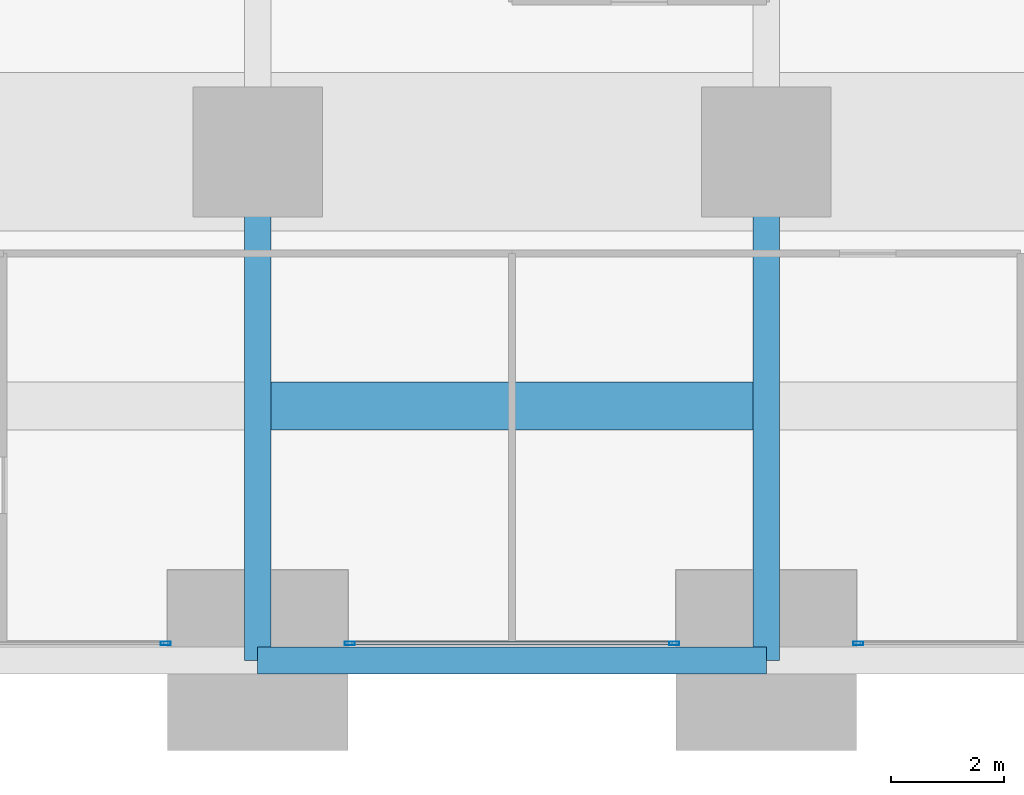
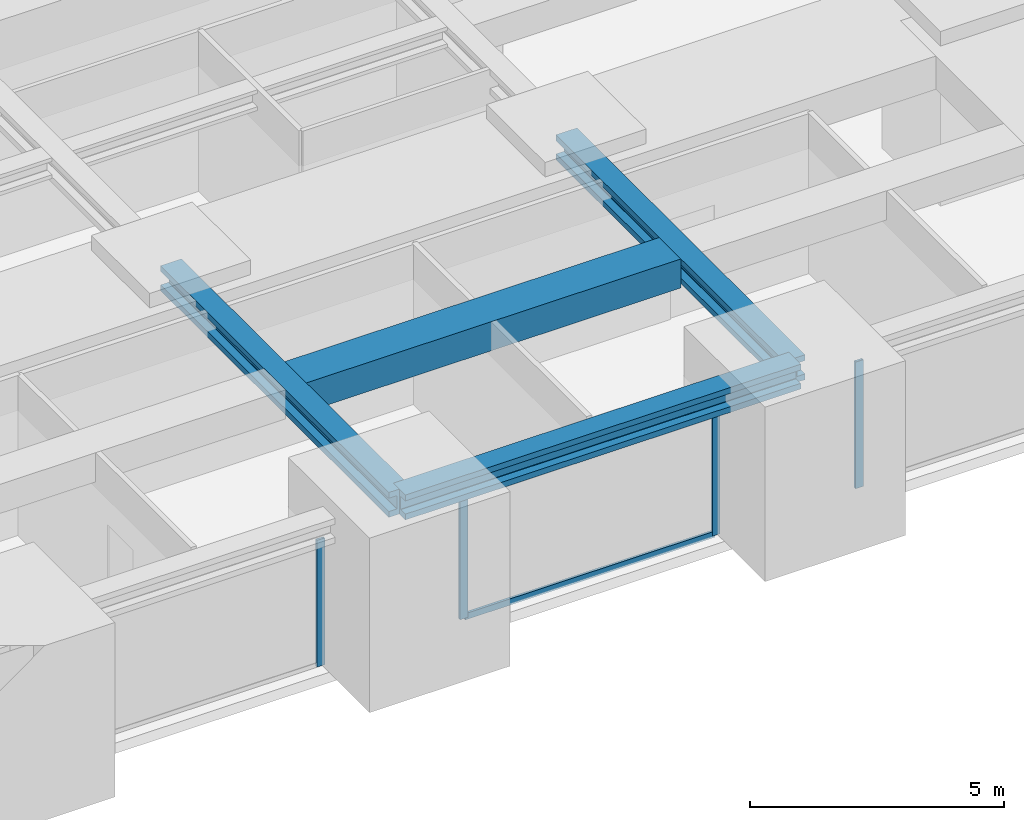
# One storey, part 12 of 42: 5 members, 4 beams, 3 elements without a shape of their own.
"""IFC4 building model written with IfcOpenShell, lengths in metres."""

from ifc_helpers import new_model, si_unit, direction, frame, origin, origin_2d, place, context, subcontext, project, spatial, rectangle, hollow_rectangle, i_section, extrude, material, material_profile, profile_set, type_object, element, aggregate, save


model = new_model("IFC4")

# Units and contexts
model_context = context("Model", 3, precision=1e-05, world=origin(), true_north=direction((0.0, 1.0)))
body_context = subcontext(model_context, "Body", "Model", "MODEL_VIEW")
ifc_project = project(units=[si_unit("LENGTHUNIT", "METRE"), si_unit("AREAUNIT", "SQUARE_METRE"), si_unit("VOLUMEUNIT", "CUBIC_METRE"), si_unit("PLANEANGLEUNIT", "RADIAN"), si_unit("MASSUNIT", "GRAM", prefix="KILO")], contexts=[model_context])

# Site, building, storey
site_placement = place(None, origin())
site = spatial("IfcSite", under=ifc_project, at=site_placement, CompositionType="ELEMENT")
building_placement = place(site_placement, origin())
building = spatial("IfcBuilding", under=site, at=building_placement, Name="Zorevar Civic Tower", CompositionType="ELEMENT")
storey_placement = place(building_placement, frame((0.0, 0.0, 75.800048828125)))
storey = spatial("IfcBuildingStorey", under=building, at=storey_placement, Name="L18", CompositionType="ELEMENT", Elevation=75.800048828125)

# Beams
ifc_material_1 = material(Name="Concrete C50/60", Category="concrete")
ifc_material_profile_1 = material_profile(ifc_material_1, rectangle(XDim=0.85009765625, YDim=0.699951171875, at=origin_2d()), Name="RC 850x700")
ifc_profile_set_1 = profile_set([ifc_material_profile_1], Name="Concrete C50/60")
beam_type_1 = type_object("IfcBeamType", Name="Beam RC 850x700", PredefinedType="BEAM", material=ifc_profile_set_1)
beam_1_placement = place(storey_placement, frame((36.238037109375, 4.5, 3.5), z_axis=(1.0, 0.0, 0.0), x_axis=(0.0, 1.0, 0.0)))
element("IfcBeam", 1, at=beam_1_placement, inside=storey, type_object=beam_type_1, Name="Secondary beam L19", PredefinedType="BEAM", context=body_context, shape_type="SweptSolid", body=[
    extrude(rectangle(XDim=0.85009765625, YDim=0.699951171875, at=origin_2d()), origin(), (0.0, 0.0, 1.0), 8.52392578125),
])
ifc_material_2 = material(Name="Steel S460M (HISTAR 460)", Category="steel")
ifc_material_profile_2 = material_profile(ifc_material_2, i_section(OverallWidth=0.47607421875, OverallDepth=0.60009765625, WebThickness=0.10009765625, FlangeThickness=0.139892578125, FilletRadius=0.014892578125, at=origin_2d()), Name="HD 400x1299")
ifc_profile_set_2 = profile_set([ifc_material_profile_2], Name="Steel S460M (HISTAR 460)")
beam_type_2 = type_object("IfcBeamType", Name="Belt chord HD 400x1299", PredefinedType="BEAM", material=ifc_profile_set_2)
beam_2_placement = place(storey_placement, frame((36.0, 0.0, 3.550048828125), z_axis=(1.0, 0.0, 0.0), x_axis=(0.0, 1.0, 0.0)))
element("IfcBeam", 2, at=beam_2_placement, inside=storey, type_object=beam_type_2, Name="Belt chord L19", PredefinedType="BEAM", context=body_context, shape_type="SweptSolid", body=[
    extrude(i_section(OverallWidth=0.47607421875, OverallDepth=0.60009765625, WebThickness=0.10009765625, FlangeThickness=0.139892578125, FilletRadius=0.014892578125, at=origin_2d()), origin(), (0.0, 0.0, 1.0), 9.0),
])

# Curtain wall, member
ifc_material_3 = material(Name="Dark grey solar-control glass in black aluminium frame", Category="aluminium")
curtain_wall_type = type_object("IfcCurtainWallType", Name="Curtain wall CW2 low zone", PredefinedType="NOTDEFINED", material=ifc_material_3)
curtain_wall_1_placement = place(storey_placement, origin())
curtain_wall_1 = element("IfcCurtainWall", 3, at=curtain_wall_1_placement, inside=storey, type_object=curtain_wall_type, Name="CW2 L18", PredefinedType="NOTDEFINED")
ifc_material_4 = material(Name="Aluminium, black anodised", Category="aluminium")
ifc_material_profile_3 = material_profile(ifc_material_4, hollow_rectangle(XDim=0.06005859375, YDim=0.179931640625, WallThickness=0.00390625, at=origin_2d()), Name="AL 180x60x4")
ifc_profile_set_3 = profile_set([ifc_material_profile_3], Name="Aluminium, black anodised")
member_type_1 = type_object("IfcMemberType", Name="CW2 mullion AL 180x60x4", PredefinedType="MULLION", material=ifc_profile_set_3)
member_1_placement = place(storey_placement, frame((34.3701171875, 0.300048828125, 0.0), z_axis=(0.0, 0.0, 1.0), x_axis=(0.0, 1.0, 0.0)))
member_1 = element("IfcMember", 4, at=member_1_placement, type_object=member_type_1, Name="CW2 mullion 2", PredefinedType="MULLION", context=body_context, shape_type="SweptSolid", body=[
    extrude(hollow_rectangle(XDim=0.06005859375, YDim=0.179931640625, WallThickness=0.00390625, at=origin_2d()), origin(), (0.0, 0.0, 1.0), 3.050048828125),
])
aggregate(curtain_wall_1, [member_1])

# Curtain wall, members
curtain_wall_2_placement = place(storey_placement, origin())
curtain_wall_2 = element("IfcCurtainWall", 5, at=curtain_wall_2_placement, inside=storey, type_object=curtain_wall_type, Name="CW2 L18", PredefinedType="NOTDEFINED")
member_2_placement = place(storey_placement, frame((37.6298828125, 0.300048828125, 0.0), z_axis=(0.0, 0.0, 1.0), x_axis=(0.0, 1.0, 0.0)))
member_2 = element("IfcMember", 6, at=member_2_placement, type_object=member_type_1, Name="CW2 mullion 1", PredefinedType="MULLION", context=body_context, shape_type="SweptSolid", body=[
    extrude(hollow_rectangle(XDim=0.06005859375, YDim=0.179931640625, WallThickness=0.00390625, at=origin_2d()), origin(), (0.0, 0.0, 1.0), 3.050048828125),
])
member_3_placement = place(storey_placement, frame((43.3701171875, 0.300048828125, 0.0), z_axis=(0.0, 0.0, 1.0), x_axis=(0.0, 1.0, 0.0)))
member_3 = element("IfcMember", 7, at=member_3_placement, type_object=member_type_1, Name="CW2 mullion 2", PredefinedType="MULLION", context=body_context, shape_type="SweptSolid", body=[
    extrude(hollow_rectangle(XDim=0.06005859375, YDim=0.179931640625, WallThickness=0.00390625, at=origin_2d()), origin(), (0.0, 0.0, 1.0), 3.050048828125),
])

# Curtain wall, member
curtain_wall_3_placement = place(storey_placement, origin())
curtain_wall_3 = element("IfcCurtainWall", 8, at=curtain_wall_3_placement, inside=storey, type_object=curtain_wall_type, Name="CW2 L18", PredefinedType="NOTDEFINED")
member_4_placement = place(storey_placement, frame((46.6298828125, 0.300048828125, 0.0), z_axis=(0.0, 0.0, 1.0), x_axis=(0.0, 1.0, 0.0)))
member_4 = element("IfcMember", 9, at=member_4_placement, type_object=member_type_1, Name="CW2 mullion 1", PredefinedType="MULLION", context=body_context, shape_type="SweptSolid", body=[
    extrude(hollow_rectangle(XDim=0.06005859375, YDim=0.179931640625, WallThickness=0.00390625, at=origin_2d()), origin(), (0.0, 0.0, 1.0), 3.050048828125),
])
aggregate(curtain_wall_3, [member_4])

# Member
ifc_material_5 = material(Name="Aluminium, black anodised", Category="aluminium")
ifc_material_profile_4 = material_profile(ifc_material_5, hollow_rectangle(XDim=0.06005859375, YDim=0.14990234375, WallThickness=0.00390625, at=origin_2d()), Name="AL 150x60x4")
ifc_profile_set_4 = profile_set([ifc_material_profile_4], Name="Aluminium, black anodised")
member_type_2 = type_object("IfcMemberType", Name="CW2 transom AL 150x60x4", PredefinedType="USERDEFINED", material=ifc_profile_set_4)
member_5_placement = place(storey_placement, frame((37.659912109375, 0.300048828125, 0.030029296875), z_axis=(1.0, 0.0, 0.0), x_axis=(0.0, 1.0, 0.0)))
member_5 = element("IfcMember", 10, at=member_5_placement, type_object=member_type_2, Name="CW2 sill transom", ObjectType="TRANSOM", PredefinedType="USERDEFINED", context=body_context, shape_type="SweptSolid", body=[
    extrude(hollow_rectangle(XDim=0.06005859375, YDim=0.14990234375, WallThickness=0.00390625, at=origin_2d()), origin(), (0.0, 0.0, 1.0), 5.68017578125),
])

aggregate(curtain_wall_2, [member_2, member_3, member_5])

# Beams
ifc_material_6 = material(Name="Steel S460M (HISTAR 460)", Category="steel")
ifc_material_profile_5 = material_profile(ifc_material_6, i_section(OverallWidth=0.47607421875, OverallDepth=0.60009765625, WebThickness=0.10009765625, FlangeThickness=0.139892578125, FilletRadius=0.014892578125, at=origin_2d()), Name="HD 400x1299")
ifc_profile_set_5 = profile_set([ifc_material_profile_5], Name="Steel S460M (HISTAR 460)")
beam_type_3 = type_object("IfcBeamType", Name="Outrigger chord HD 400x1299", PredefinedType="BEAM", material=ifc_profile_set_5)
for number, where, z_axis, x_axis, name in (
    (11, (36.0, 0.0, 3.550048828125), (0.0, 1.0, 0.0), (-1.0, 0.0, 0.0), "Outrigger chord L19"),
    (12, (45.0, 0.0, 3.550048828125), (0.0, 1.0, 0.0), (-1.0, 0.0, 0.0), "Outrigger chord L19"),
):
    element("IfcBeam", number, at=place(storey_placement, frame(where, z_axis=z_axis, x_axis=x_axis)), inside=storey, type_object=beam_type_3, Name=name, PredefinedType="BEAM", context=body_context, shape_type="SweptSolid", body=[
        extrude(i_section(OverallWidth=0.47607421875, OverallDepth=0.60009765625, WebThickness=0.10009765625, FlangeThickness=0.139892578125, FilletRadius=0.014892578125, at=origin_2d()), origin(), (0.0, 0.0, 1.0), 9.0),
    ])

save(model, "model.ifc")
